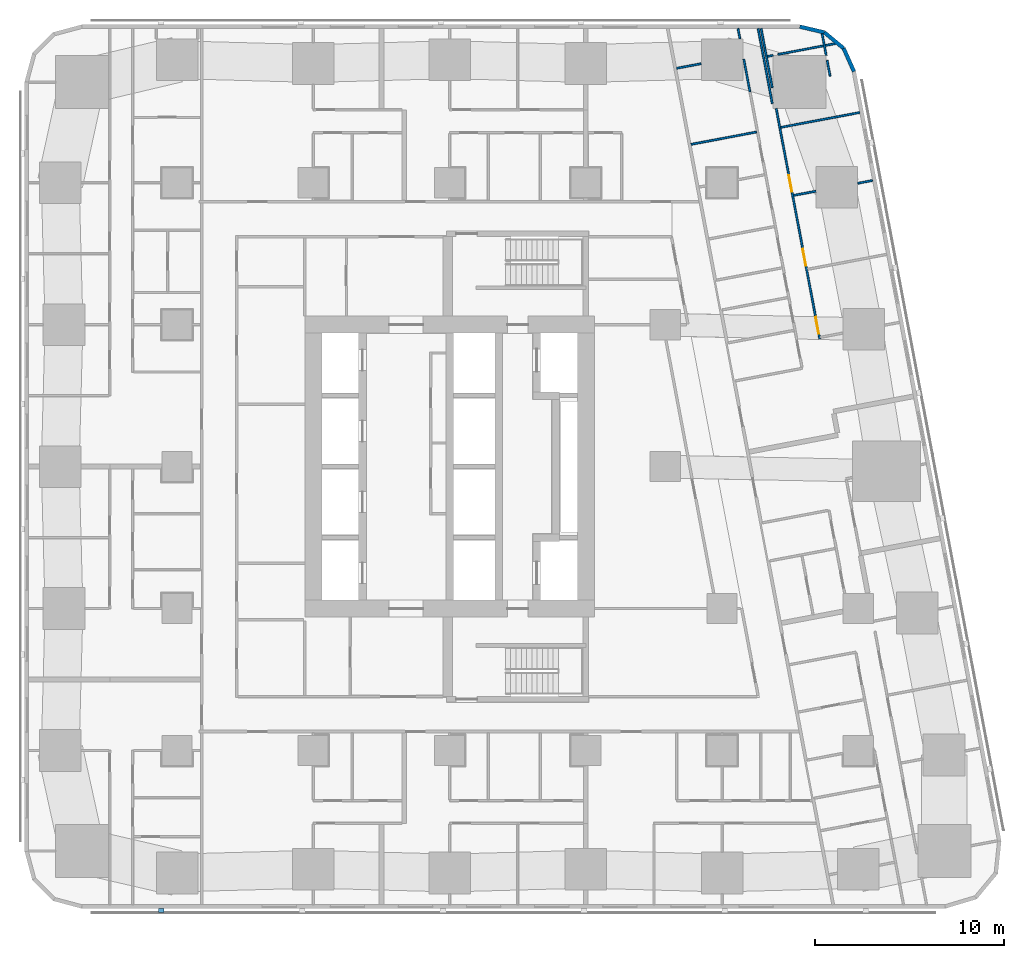
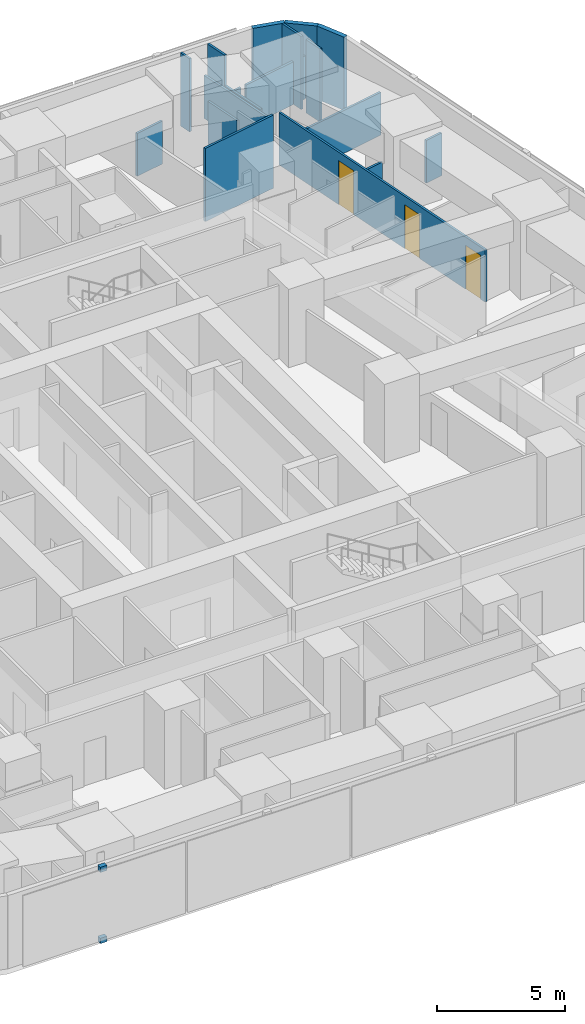
# One storey, part 12 of 17: 18 walls, 3 doors, 2 discrete accessories, 3 openings.
"""IFC4 building model written with IfcOpenShell, lengths in metres."""

from ifc_helpers import new_model, si_unit, direction, frame, frame_2d, origin, origin_2d, place, context, subcontext, project, spatial, rectangle, extrude, material, layer, layer_set, type_object, element, fill, save


model = new_model("IFC4")

# Units and contexts
model_context = context("Model", 3, precision=1e-05, world=origin(), true_north=direction((0.0, 1.0)))
body_context = subcontext(model_context, "Body", "Model", "MODEL_VIEW")
ifc_project = project(units=[si_unit("LENGTHUNIT", "METRE"), si_unit("AREAUNIT", "SQUARE_METRE"), si_unit("VOLUMEUNIT", "CUBIC_METRE"), si_unit("PLANEANGLEUNIT", "RADIAN"), si_unit("MASSUNIT", "GRAM", prefix="KILO")], contexts=[model_context])

# Site, building, storey
site_placement = place(None, origin())
site = spatial("IfcSite", under=ifc_project, at=site_placement, CompositionType="ELEMENT")
building_placement = place(site_placement, origin())
building = spatial("IfcBuilding", under=site, at=building_placement, Name="Sheger Commons Tower", CompositionType="ELEMENT")
storey_placement = place(building_placement, frame((0.0, 0.0, 111.64990234375)))
storey = spatial("IfcBuildingStorey", under=building, at=storey_placement, Name="L28", CompositionType="ELEMENT", Elevation=111.64990234375)

# Walls
ifc_material_1 = material(Name="Rendered concrete block masonry, dark grey", Category="masonry")
ifc_layer_1 = layer(ifc_material_1, 0.199951171875)
ifc_layer_set_1 = layer_set([ifc_layer_1], Name="FACADE WALL 200")
wall_type_1 = type_object("IfcWallType", Name="FACADE WALL 200", PredefinedType="SOLIDWALL", material=ifc_layer_set_1)
wall_1_placement = place(storey_placement, frame((42.969970703125, 43.376953125, 0.0), z_axis=(0.0, 0.0, 1.0), x_axis=(-0.406002956633, 0.913871762998, 0.0)))
element("IfcWall", 1, at=wall_1_placement, inside=storey, type_object=wall_type_1, Name="Facade wall L28", PredefinedType="SOLIDWALL", context=body_context, shape_type="SweptSolid", body=[
    extrude(rectangle(XDim=1.33740234375, YDim=0.199951171875, at=frame_2d((0.668701171875, 0.0))), origin(), (0.0, 0.0, 1.0), 3.5),
])
wall_2_placement = place(storey_placement, frame((42.427001953125, 44.59912109375, 0.0), z_axis=(0.0, 0.0, 1.0), x_axis=(-0.770091412544, 0.637933551655, 0.0)))
element("IfcWall", 2, at=wall_2_placement, inside=storey, type_object=wall_type_1, Name="Facade wall L28", PredefinedType="SOLIDWALL", context=body_context, shape_type="SweptSolid", body=[
    extrude(rectangle(XDim=1.324462890625, YDim=0.199951171875, at=frame_2d((0.662109375, 0.0))), origin(), (0.0, 0.0, 1.0), 3.5),
])
wall_3_placement = place(storey_placement, frame((41.406982421875, 45.444091796875, 0.0), z_axis=(0.0, 0.0, 1.0), x_axis=(-0.973453091607, 0.228886606077, 0.0)))
element("IfcWall", 3, at=wall_3_placement, inside=storey, type_object=wall_type_1, Name="Facade wall L28", PredefinedType="SOLIDWALL", context=body_context, shape_type="SweptSolid", body=[
    extrude(rectangle(XDim=1.33642578125, YDim=0.199951171875, at=frame_2d((0.668212890625, 0.0))), origin(), (0.0, 0.0, 1.0), 3.5),
])
ifc_material_2 = material(Name="Gypsum board on steel studs", Category="steel")
ifc_layer_2 = layer(ifc_material_2, 0.10009765625)
ifc_layer_set_2 = layer_set([ifc_layer_2], Name="PARTITION 100")
wall_type_2 = type_object("IfcWallType", Name="PARTITION 100", PredefinedType="PARTITIONING", material=ifc_layer_set_2)
wall_4_placement = place(storey_placement, frame((38.654052734375, 41.68603515625, 0.0), z_axis=(0.0, 0.0, 1.0), x_axis=(-0.185676896978, 0.982610853761, 0.0)))
element("IfcWall", 4, at=wall_4_placement, inside=storey, type_object=wall_type_2, Name="Partition L28", PredefinedType="PARTITIONING", context=body_context, shape_type="SweptSolid", body=[
    extrude(rectangle(XDim=4.033935546875, YDim=0.10009765625, at=frame_2d((2.01708984375, 0.0))), origin(), (0.0, 0.0, 1.0), 2.050048828125),
])
wall_5_placement = place(storey_placement, frame((41.287109375, 45.3701171875, 0.0), z_axis=(0.0, 0.0, 1.0), x_axis=(0.185121628323, -0.982715616405, 0.0)))
element("IfcWall", 5, at=wall_5_placement, inside=storey, type_object=wall_type_2, Name="Partition L28", PredefinedType="PARTITIONING", context=body_context, shape_type="SweptSolid", body=[
    extrude(rectangle(XDim=1.14990234375, YDim=0.10009765625, at=frame_2d((0.574951171875, 0.0))), origin(), (0.0, 0.0, 1.0), 3.5),
])
wall_6_placement = place(storey_placement, frame((41.551025390625, 43.968994140625, 0.0), z_axis=(0.0, 0.0, 1.0), x_axis=(0.185884171512, -0.982571663942, 0.0)))
element("IfcWall", 6, at=wall_6_placement, inside=storey, type_object=wall_type_2, Name="Partition L28", PredefinedType="PARTITIONING", context=body_context, shape_type="SweptSolid", body=[
    extrude(rectangle(XDim=0.849853515625, YDim=0.10009765625, at=frame_2d((0.4248046875, 0.0))), origin(), (0.0, 0.0, 1.0), 3.5),
])
wall_7_placement = place(storey_placement, frame((38.06298828125, 45.64990234375, 0.0), z_axis=(0.0, 0.0, 1.0), x_axis=(0.185677287841, -0.982610779902, 0.0)))
element("IfcWall", 7, at=wall_7_placement, inside=storey, type_object=wall_type_2, Name="Partition L28", PredefinedType="PARTITIONING", context=body_context, shape_type="SweptSolid", body=[
    extrude(rectangle(XDim=1.0400390625, YDim=0.10009765625, at=frame_2d((0.52001953125, 0.0))), origin(), (0.0, 0.0, 1.0), 3.5),
])
wall_8_placement = place(storey_placement, frame((38.256103515625, 44.6279296875, 0.0), z_axis=(0.0, 0.0, 1.0), x_axis=(0.185757524649, -0.982595614704, 0.0)))
element("IfcWall", 8, at=wall_8_placement, inside=storey, type_object=wall_type_2, Name="Partition L28", PredefinedType="PARTITIONING", context=body_context, shape_type="SweptSolid", body=[
    extrude(rectangle(XDim=2.136962890625, YDim=0.10009765625, at=frame_2d((1.068359375, 0.0))), origin(), (0.0, 0.0, 1.0), 2.050048828125),
])

# Wall, openings, doors
wall_9_placement = place(storey_placement, frame((38.862060546875, 41.419921875, 0.0), z_axis=(0.0, 0.0, 1.0), x_axis=(0.185550092293, -0.982634806655, 0.0)))
wall_9 = element("IfcWall", 9, at=wall_9_placement, inside=storey, type_object=wall_type_2, Name="Partition L28", PredefinedType="PARTITIONING", context=body_context, shape_type="SweptSolid", body=[
    extrude(rectangle(XDim=12.384033203125, YDim=0.10009765625, at=frame_2d((6.19189453125, 0.0))), origin(), (0.0, 0.0, 1.0), 2.5),
])
opening_1_placement = place(wall_9_placement, frame((11.2119140625, 0.0, 0.0)))
opening_1 = element("IfcOpeningElement", 10, at=opening_1_placement, cuts=wall_9, Name="Opening D2", PredefinedType="OPENING", context=body_context, shape_type="SweptSolid", body=[
    extrude(rectangle(XDim=0.89990234375, YDim=2.10009765625, at=frame_2d((0.449951171875, 1.050048828125))), frame((0.0, 0.06005859375, 0.0), z_axis=(0.0, -1.0, 0.0), x_axis=(1.0, 0.0, 0.0)), (0.0, 0.0, 1.0), 0.1201171875),
])
opening_2_placement = place(wall_9_placement, frame((7.554931640625, 0.0, 0.0)))
opening_2 = element("IfcOpeningElement", 11, at=opening_2_placement, cuts=wall_9, Name="Opening D2", PredefinedType="OPENING", context=body_context, shape_type="SweptSolid", body=[
    extrude(rectangle(XDim=0.89990234375, YDim=2.10009765625, at=frame_2d((0.449951171875, 1.050048828125))), frame((0.0, 0.06005859375, 0.0), z_axis=(0.0, -1.0, 0.0), x_axis=(1.0, 0.0, 0.0)), (0.0, 0.0, 1.0), 0.1201171875),
])
opening_3_placement = place(wall_9_placement, frame((3.5791015625, 0.0, 0.0)))
opening_3 = element("IfcOpeningElement", 12, at=opening_3_placement, cuts=wall_9, Name="Opening D2", PredefinedType="OPENING", context=body_context, shape_type="SweptSolid", body=[
    extrude(rectangle(XDim=0.89990234375, YDim=2.10009765625, at=frame_2d((0.449951171875, 1.050048828125))), frame((0.0, 0.06005859375, 0.0), z_axis=(0.0, -1.0, 0.0), x_axis=(1.0, 0.0, 0.0)), (0.0, 0.0, 1.0), 0.1201171875),
])
ifc_material_3 = material(Name="Timber door set", Category="wood")
door_type = type_object("IfcDoorType", Name="INTERNAL DOOR 900x2100", OperationType="NOTDEFINED", PredefinedType="DOOR", material=ifc_material_3)
door_1_placement = place(opening_1_placement, origin())
door_1 = element("IfcDoor", 13, at=door_1_placement, inside=storey, type_object=door_type, Name="Main bedroom door", OperationType="SINGLE_SWING_RIGHT", OverallHeight=2.10009765625, OverallWidth=0.89990234375, PredefinedType="DOOR", context=body_context, shape_type="SweptSolid", body=[
    extrude(rectangle(XDim=0.89990234375, YDim=2.10009765625, at=frame_2d((0.449951171875, 1.050048828125))), frame((0.0, 0.02490234375, 0.0), z_axis=(0.0, -1.0, 0.0), x_axis=(1.0, 0.0, 0.0)), (0.0, 0.0, 1.0), 0.050048828125),
])
fill(opening_1, door_1)
door_2_placement = place(opening_2_placement, origin())
door_2 = element("IfcDoor", 14, at=door_2_placement, inside=storey, type_object=door_type, Name="Bedroom 2 door", OperationType="SINGLE_SWING_RIGHT", OverallHeight=2.10009765625, OverallWidth=0.89990234375, PredefinedType="DOOR", context=body_context, shape_type="SweptSolid", body=[
    extrude(rectangle(XDim=0.89990234375, YDim=2.10009765625, at=frame_2d((0.449951171875, 1.050048828125))), frame((0.0, 0.02490234375, 0.0), z_axis=(0.0, -1.0, 0.0), x_axis=(1.0, 0.0, 0.0)), (0.0, 0.0, 1.0), 0.050048828125),
])
fill(opening_2, door_2)
door_3_placement = place(opening_3_placement, origin())
door_3 = element("IfcDoor", 15, at=door_3_placement, inside=storey, type_object=door_type, Name="Bedroom 3 door", OperationType="SINGLE_SWING_RIGHT", OverallHeight=2.10009765625, OverallWidth=0.89990234375, PredefinedType="DOOR", context=body_context, shape_type="SweptSolid", body=[
    extrude(rectangle(XDim=0.89990234375, YDim=2.10009765625, at=frame_2d((0.449951171875, 1.050048828125))), frame((0.0, 0.02490234375, 0.0), z_axis=(0.0, -1.0, 0.0), x_axis=(1.0, 0.0, 0.0)), (0.0, 0.0, 1.0), 0.050048828125),
])
fill(opening_3, door_3)

# Walls
wall_10_placement = place(storey_placement, frame((36.842041015625, 45.64990234375, 0.0), z_axis=(0.0, 0.0, 1.0), x_axis=(0.185764109712, -0.98259436979, 0.0)))
element("IfcWall", 16, at=wall_10_placement, inside=storey, type_object=wall_type_2, Name="Partition L28", PredefinedType="PARTITIONING", context=body_context, shape_type="SweptSolid", body=[
    extrude(rectangle(XDim=0.54931640625, YDim=0.10009765625, at=frame_2d((0.274658203125, 0.0))), origin(), (0.0, 0.0, 1.0), 3.5),
])
wall_11_placement = place(storey_placement, frame((37.14892578125, 44.02294921875, 0.0), z_axis=(0.0, 0.0, 1.0), x_axis=(0.185741922314, -0.982598564163, 0.0)))
element("IfcWall", 17, at=wall_11_placement, inside=storey, type_object=wall_type_2, Name="Partition L28", PredefinedType="PARTITIONING", context=body_context, shape_type="SweptSolid", body=[
    extrude(rectangle(XDim=1.744140625, YDim=0.10009765625, at=frame_2d((0.8720703125, 0.0))), origin(), (0.0, 0.0, 1.0), 2.050048828125),
])
wall_12_placement = place(storey_placement, frame((41.968017578125, 44.85009765625, 0.0), z_axis=(0.0, 0.0, 1.0), x_axis=(-0.982566714195, -0.185910333644, 0.0)))
element("IfcWall", 18, at=wall_12_placement, inside=storey, type_object=wall_type_2, Name="Partition L28", PredefinedType="PARTITIONING", context=body_context, shape_type="SweptSolid", body=[
    extrude(rectangle(XDim=3.071533203125, YDim=0.10009765625, at=frame_2d((1.53564453125, 0.0))), origin(), (0.0, 0.0, 1.0), 2.050048828125),
])
wall_13_placement = place(storey_placement, frame((38.69189453125, 44.22998046875, 0.0), z_axis=(0.0, 0.0, 1.0), x_axis=(-0.982944840311, -0.183900627803, 0.0)))
element("IfcWall", 19, at=wall_13_placement, inside=storey, type_object=wall_type_2, Name="Partition L28", PredefinedType="PARTITIONING", context=body_context, shape_type="SweptSolid", body=[
    extrude(rectangle(XDim=0.303955078125, YDim=0.10009765625, at=frame_2d((0.15185546875, 0.0))), origin(), (0.0, 0.0, 1.0), 2.050048828125),
])
wall_14_placement = place(storey_placement, frame((43.277099609375, 41.2119140625, 0.0), z_axis=(0.0, 0.0, 1.0), x_axis=(-0.982665405803, -0.185387972203, 0.0)))
element("IfcWall", 20, at=wall_14_placement, inside=storey, type_object=wall_type_2, Name="Partition L28", PredefinedType="PARTITIONING", context=body_context, shape_type="SweptSolid", body=[
    extrude(rectangle(XDim=4.249755859375, YDim=0.10009765625, at=frame_2d((2.125, 0.0))), origin(), (0.0, 0.0, 1.0), 2.050048828125),
])
wall_15_placement = place(storey_placement, frame((43.955078125, 37.6201171875, 0.0), z_axis=(0.0, 0.0, 1.0), x_axis=(-0.98247004097, -0.186420542316, 0.0)))
element("IfcWall", 21, at=wall_15_placement, inside=storey, type_object=wall_type_2, Name="Partition L28", PredefinedType="PARTITIONING", context=body_context, shape_type="SweptSolid", body=[
    extrude(rectangle(XDim=0.794921875, YDim=0.10009765625, at=frame_2d((0.3974609375, 0.0))), origin(), (0.0, 0.0, 1.0), 2.050048828125),
])
wall_16_placement = place(storey_placement, frame((40.9541015625, 37.052978515625, 0.0), z_axis=(0.0, 0.0, 1.0), x_axis=(-0.982600492424, -0.185731721275, 0.0)))
element("IfcWall", 22, at=wall_16_placement, inside=storey, type_object=wall_type_2, Name="Partition L28", PredefinedType="PARTITIONING", context=body_context, shape_type="SweptSolid", body=[
    extrude(rectangle(XDim=1.19482421875, YDim=0.10009765625, at=frame_2d((0.597412109375, 0.0))), origin(), (0.0, 0.0, 1.0), 2.050048828125),
])
wall_17_placement = place(storey_placement, frame((34.889892578125, 43.7900390625, 0.0), z_axis=(0.0, 0.0, 1.0), x_axis=(-0.982696831521, -0.185221319826, 0.0)))
element("IfcWall", 23, at=wall_17_placement, inside=storey, type_object=wall_type_2, Name="Partition L28", PredefinedType="PARTITIONING", context=body_context, shape_type="SweptSolid", body=[
    extrude(rectangle(XDim=1.3115234375, YDim=0.10009765625, at=frame_2d((0.65576171875, 0.0))), origin(), (0.0, 0.0, 1.0), 2.050048828125),
])
wall_18_placement = place(storey_placement, frame((37.823974609375, 40.181884765625, 0.0), z_axis=(0.0, 0.0, 1.0), x_axis=(-0.982648794755, -0.185475998897, 0.0)))
element("IfcWall", 24, at=wall_18_placement, inside=storey, type_object=wall_type_2, Name="Partition L28", PredefinedType="PARTITIONING", context=body_context, shape_type="SweptSolid", body=[
    extrude(rectangle(XDim=3.525146484375, YDim=0.10009765625, at=frame_2d((1.7626953125, 0.0))), origin(), (0.0, 0.0, 1.0), 3.5),
])

# Discrete accessories
ifc_material_4 = material(Name="Black painted steel bracket", Category="steel")
discrete_accessory_type = type_object("IfcDiscreteAccessoryType", Name="SCREEN BRACKET 300x200x250", PredefinedType="BRACKET", material=ifc_material_4)
for number, where, z_axis, x_axis, name in (
    (25, (6.37109375, -0.949951171875, -0.099853515625), (0.0, 0.0, 1.0), (1.0, 0.0, 0.0), "Solar screen foot bracket"),
    (26, (6.37109375, -0.949951171875, 3.300048828125), (0.0, 0.0, 1.0), (1.0, 0.0, 0.0), "Solar screen head bracket"),
):
    element("IfcDiscreteAccessory", number, at=place(storey_placement, frame(where, z_axis=z_axis, x_axis=x_axis)), inside=storey, type_object=discrete_accessory_type, Name=name, PredefinedType="BRACKET", context=body_context, shape_type="SweptSolid", body=[
        extrude(rectangle(XDim=0.300048828125, YDim=0.199951171875, at=origin_2d()), origin(), (0.0, 0.0, 1.0), 0.25),
    ])

save(model, "model.ifc")
